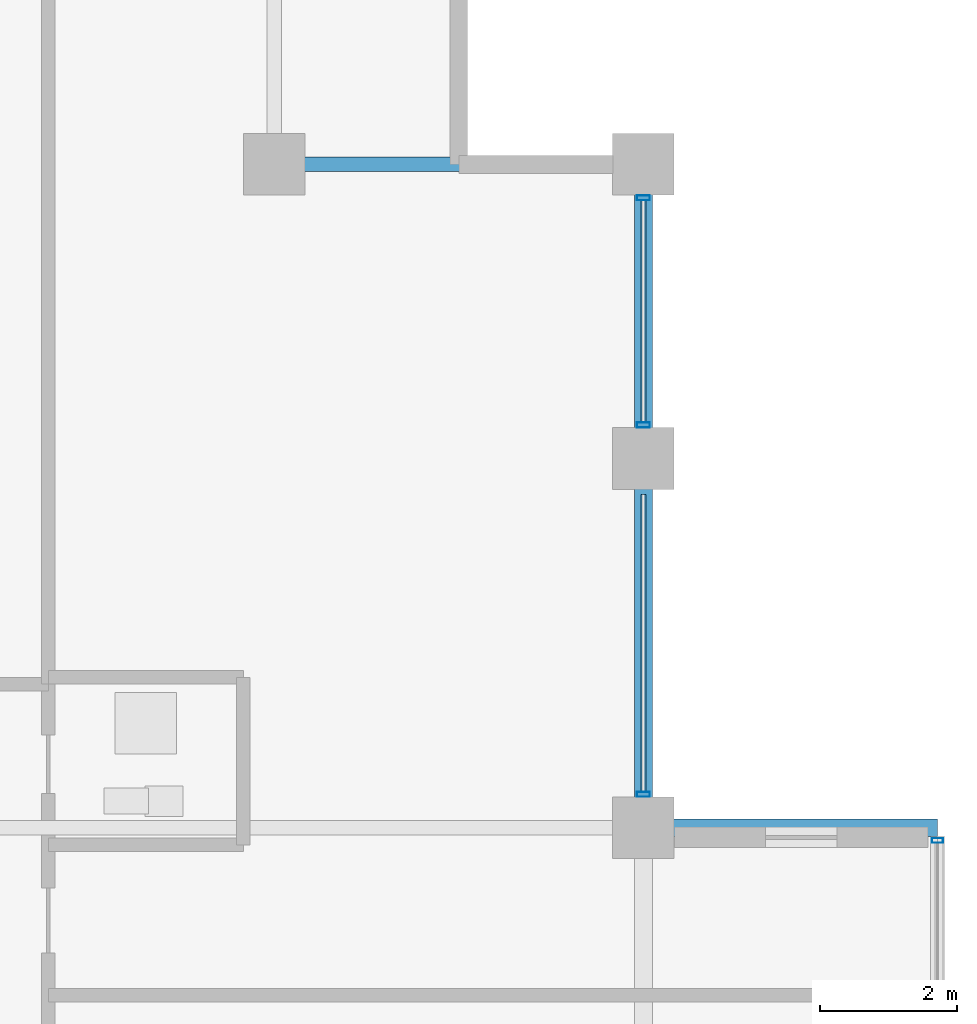
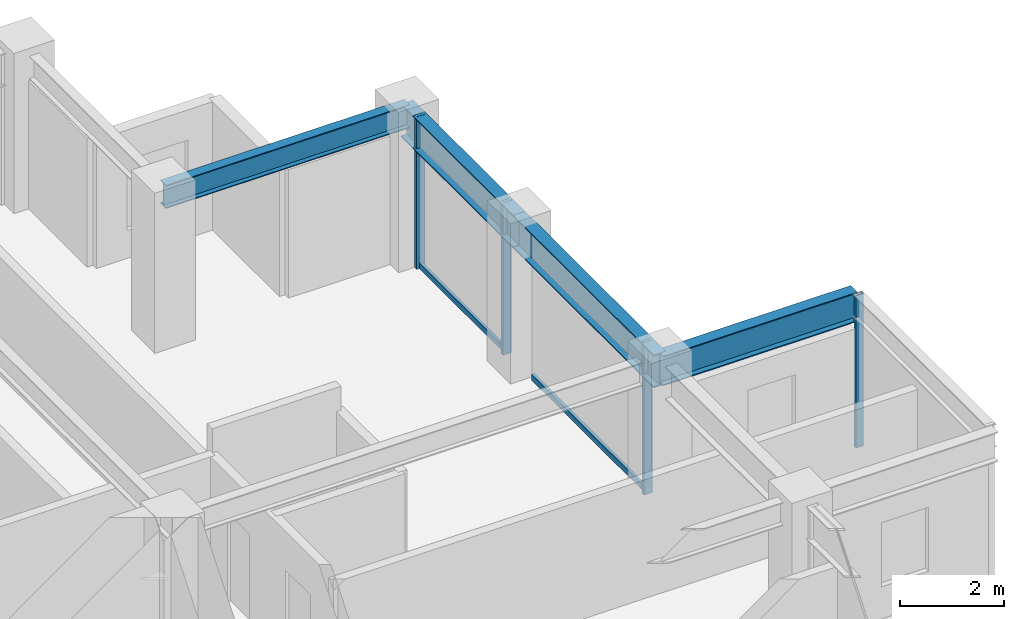
# One storey, part 20 of 28: 6 members, 4 beams, 2 elements without a shape of their own.
"""IFC4 building model written with IfcOpenShell, lengths in metres."""

import ifcopenshell
import ifcopenshell.guid

model = None  # the IFC model being written
_history = None  # IfcOwnerHistory: only IFC2X3 demands one
_inside = {}  # id of a spatial element -> (the spatial element, [elements in it])
_under = {}  # id of a project, library or spatial element -> (it, [spatial elements below it])
_declared = {}  # id of a project -> (the project, [libraries it declares])
_typed = {}  # id of a type object -> (the type object, [elements of that type])
_made_of = {}  # id of a material, layer set ... -> (it, [elements and type objects made of it])


def new_model(schema):
    """Start an empty IFC model of exactly this schema.

    Asked for "IFC4X3", IfcOpenShell would pick the latest addendum, in which some entities
    have other attributes; the version numbers below select the first issue.
    IFC2X3 requires an IfcOwnerHistory on every rooted entity: one is made here for all.
    """
    global model, _history
    if schema == "IFC4X3":
        model = ifcopenshell.file(schema_version=(4, 3, 0, 0))
    else:
        model = ifcopenshell.file(schema=schema)
    _inside.clear()
    _under.clear()
    _declared.clear()
    _typed.clear()
    _made_of.clear()
    _history = None
    if model.schema == "IFC2X3":
        org = make("IfcOrganization", Name="unknown")
        user = make(
            "IfcPersonAndOrganization",
            ThePerson=make("IfcPerson", FamilyName="unknown"),
            TheOrganization=org,
        )
        app = make(
            "IfcApplication",
            ApplicationDeveloper=org,
            Version="unknown",
            ApplicationFullName="unknown",
            ApplicationIdentifier="unknown",
        )
        _history = make(
            "IfcOwnerHistory",
            OwningUser=user,
            OwningApplication=app,
            ChangeAction="ADDED",
            CreationDate=0,
        )
    return model


def make(cls, **values):
    """One entity of the class cls with the attributes given. An attribute that is None is left unset."""
    return model.create_entity(
        cls, **{name: value for name, value in values.items() if value is not None}
    )


def rooted(cls, **values):
    """An entity with a GlobalId (a new one), such as an element, a storey or a relation."""
    return make(cls, GlobalId=ifcopenshell.guid.new(), OwnerHistory=_history, **values)


def si_unit(unit_type, name, prefix=None):
    """IfcSIUnit, for example si_unit("LENGTHUNIT", "METRE", prefix="MILLI")."""
    return make("IfcSIUnit", UnitType=unit_type, Prefix=prefix, Name=name)


def assignment(units):
    """IfcUnitAssignment: the units of a project."""
    return None if units is None else make("IfcUnitAssignment", Units=units)


def point(xyz):
    """IfcCartesianPoint."""
    return None if xyz is None else make("IfcCartesianPoint", Coordinates=xyz)


def direction(xyz):
    """IfcDirection."""
    return None if xyz is None else make("IfcDirection", DirectionRatios=xyz)


def frame(location, z_axis=None, x_axis=None):
    """IfcAxis2Placement3D, a coordinate frame: its origin and axes. An axis left out is left unset."""
    return make(
        "IfcAxis2Placement3D",
        Location=point(location),
        Axis=direction(z_axis),
        RefDirection=direction(x_axis),
    )


def frame_2d(location, x_axis=None):
    """IfcAxis2Placement2D, a coordinate frame in the plane: its origin and x axis."""
    return make(
        "IfcAxis2Placement2D", Location=point(location), RefDirection=direction(x_axis)
    )


def origin():
    """The frame at (0, 0, 0) with its axes left unset."""
    return frame((0.0, 0.0, 0.0))


def origin_2d():
    """The frame at (0, 0) in the plane with its x axis left unset."""
    return frame_2d((0.0, 0.0))


def place(relative_to, where):
    """IfcLocalPlacement: puts the frame where relative to a parent placement (None: the world)."""
    return make(
        "IfcLocalPlacement", PlacementRelTo=relative_to, RelativePlacement=where
    )


def context(
    kind, dimensions, precision=None, world=None, true_north=None, identifier=None
):
    """IfcGeometricRepresentationContext, for example the 3D "Model" context."""
    return make(
        "IfcGeometricRepresentationContext",
        ContextIdentifier=identifier,
        ContextType=kind,
        CoordinateSpaceDimension=dimensions,
        Precision=precision,
        WorldCoordinateSystem=world,
        TrueNorth=true_north,
    )


def subcontext(parent, identifier, kind, view, scale=None):
    """IfcGeometricRepresentationSubContext, for example "Body" below "Model"."""
    return make(
        "IfcGeometricRepresentationSubContext",
        ContextIdentifier=identifier,
        ContextType=kind,
        ParentContext=parent,
        TargetScale=scale,
        TargetView=view,
    )


def project(units=None, contexts=None):
    """IfcProject with its units and contexts."""
    return rooted(
        "IfcProject",
        Name="project",
        RepresentationContexts=contexts,
        UnitsInContext=assignment(units),
    )


def spatial(cls, under=None, at=None, **own):
    """A site, building, storey or space (cls), placed at a placement, below another one or the project."""
    s = rooted(cls, ObjectPlacement=at, **own)
    if under is not None:
        _under.setdefault(under.id(), (under, []))[1].append(s)
    return s


def profile(cls, at=None, kind="AREA", **sizes):
    """A parametric profile (cls). Its sizes go by their IFC names, for example OverallWidth=200.0."""
    return make(cls, ProfileType=kind, Position=at, **sizes)


def hollow_rectangle(**sizes):
    """IfcRectangleHollowProfileDef."""
    return profile("IfcRectangleHollowProfileDef", **sizes)


def i_section(**sizes):
    """IfcIShapeProfileDef."""
    return profile("IfcIShapeProfileDef", **sizes)


def extrude(swept, where, along, depth):
    """IfcExtrudedAreaSolid: the profile swept, set in the frame where, extruded along a direction by depth."""
    return make(
        "IfcExtrudedAreaSolid",
        SweptArea=swept,
        Position=where,
        ExtrudedDirection=direction(along),
        Depth=depth,
    )


def shape(context_of_items, identifier, shape_type, items):
    """IfcShapeRepresentation: the items that make up one representation, for example the "Body"."""
    return make(
        "IfcShapeRepresentation",
        ContextOfItems=context_of_items,
        RepresentationIdentifier=identifier,
        RepresentationType=shape_type,
        Items=items,
    )


def material(Name=None, Category=None):
    """IfcMaterial."""
    return make("IfcMaterial", Name=Name, Category=Category)


def layer(
    of_material, thickness, ventilated=None, Name=None, Category=None, Priority=None
):
    """IfcMaterialLayer: one layer of a wall or slab, of a material (None: an air gap)."""
    return make(
        "IfcMaterialLayer",
        Material=of_material,
        LayerThickness=thickness,
        IsVentilated=ventilated,
        Name=Name,
        Category=Category,
        Priority=Priority,
    )


def layer_set(layers, Name=None):
    """IfcMaterialLayerSet."""
    return make("IfcMaterialLayerSet", MaterialLayers=layers, LayerSetName=Name)


def material_profile(
    of_material, cross_section, Name=None, Category=None, Priority=None
):
    """IfcMaterialProfile: a cross section and its material."""
    return make(
        "IfcMaterialProfile",
        Name=Name,
        Material=of_material,
        Profile=cross_section,
        Priority=Priority,
        Category=Category,
    )


def profile_set(profiles, Name=None, composite=None):
    """IfcMaterialProfileSet."""
    return make(
        "IfcMaterialProfileSet",
        Name=Name,
        MaterialProfiles=profiles,
        CompositeProfile=composite,
    )


def made_of(thing, what):
    """Note that an element or type object is made of a material, layer set ...; save() writes the relation."""
    if what is not None:
        _made_of.setdefault(what.id(), (what, []))[1].append(thing)
    return thing


def type_object(cls, material=None, **own):
    """A type object (cls), such as IfcWallType, which elements share."""
    return made_of(rooted(cls, **own), material)


def element(
    cls,
    number,
    at=None,
    inside=None,
    cuts=None,
    type_object=None,
    material=None,
    context=None,
    identifier="Body",
    shape_type=None,
    held_by="IfcProductDefinitionShape",
    body=None,
    shapes=None,
    **own,
):
    """One element of the class cls, such as IfcWall. Its Tag is "e" and its number.

    at: its placement. inside: the storey or other place that contains it. cuts: it is an
    opening in that element (IfcRelVoidsElement). A single representation is given by context,
    identifier, shape_type and body (its items); several are given by shapes. held_by: the class
    of the entity that holds the representations. save() writes the other relations.
    """
    e = rooted(cls, Tag="e%d" % number, ObjectPlacement=at, **own)
    if body is not None:
        shapes = [shape(context, identifier, shape_type, body)]
    if shapes is not None:
        e.Representation = make(held_by, Representations=shapes)
    if inside is not None:
        _inside.setdefault(inside.id(), (inside, []))[1].append(e)
    if cuts is not None:
        rooted(
            "IfcRelVoidsElement", RelatingBuildingElement=cuts, RelatedOpeningElement=e
        )
    if type_object is not None:
        _typed.setdefault(type_object.id(), (type_object, []))[1].append(e)
    return made_of(e, material)


def aggregate(whole, parts):
    """IfcRelAggregates: a whole, such as a stair, and the parts it consists of."""
    return rooted("IfcRelAggregates", RelatingObject=whole, RelatedObjects=parts)


def save(model, path):
    """Write the relations noted so far, then the file.

    IfcRelAggregates (storeys below a building ...), IfcRelContainedInSpatialStructure (elements
    in a storey), IfcRelDefinesByType, IfcRelAssociatesMaterial and IfcRelDeclares: one each for
    every whole, place, type object, material and project.
    """
    for whole, parts in _under.values():
        aggregate(whole, parts)
    for where, things in _inside.values():
        rooted(
            "IfcRelContainedInSpatialStructure",
            RelatedElements=things,
            RelatingStructure=where,
        )
    for kind, things in _typed.values():
        rooted("IfcRelDefinesByType", RelatedObjects=things, RelatingType=kind)
    for what, things in _made_of.values():
        rooted("IfcRelAssociatesMaterial", RelatedObjects=things, RelatingMaterial=what)
    for by, libraries in _declared.values():
        rooted("IfcRelDeclares", RelatingContext=by, RelatedDefinitions=libraries)
    model.write(path)


model = new_model("IFC4")

# Units and contexts
model_context = context("Model", 3, precision=1e-05, world=origin(), true_north=direction((0.0, 1.0)))
body_context = subcontext(model_context, "Body", "Model", "MODEL_VIEW")
ifc_project = project(units=[si_unit("LENGTHUNIT", "METRE"), si_unit("AREAUNIT", "SQUARE_METRE"), si_unit("VOLUMEUNIT", "CUBIC_METRE"), si_unit("PLANEANGLEUNIT", "RADIAN"), si_unit("MASSUNIT", "GRAM", prefix="KILO")], contexts=[model_context])

# Site, building, storey
site_placement = place(None, origin())
site = spatial("IfcSite", under=ifc_project, at=site_placement, CompositionType="ELEMENT")
building_placement = place(site_placement, origin())
building = spatial("IfcBuilding", under=site, at=building_placement, Name="Surkhivell Harbour Commons", CompositionType="ELEMENT")
storey_placement = place(building_placement, frame((0.0, 0.0, 178.5)))
storey = spatial("IfcBuildingStorey", under=building, at=storey_placement, Name="L46", CompositionType="ELEMENT", Elevation=178.5)

# Beams
ifc_material_1 = material(Name="Steel S460", Category="steel")
ifc_material_profile_1 = material_profile(ifc_material_1, i_section(OverallWidth=0.256103515625, OverallDepth=0.693115234375, WebThickness=0.014404296875, FlangeThickness=0.023681640625, at=origin_2d()), Name="UB686x254x170")
ifc_profile_set_1 = profile_set([ifc_material_profile_1], Name="Steel S460")
beam_type_1 = type_object("IfcBeamType", Name="BM-CNT-686", PredefinedType="BEAM", material=ifc_profile_set_1)
beam_1_placement = place(storey_placement, frame((21.60009765625, 10.800048828125, 3.223388671875), z_axis=(1.0, 0.0, 0.0), x_axis=(0.0, 1.0, 0.0)))
element("IfcBeam", 1, at=beam_1_placement, inside=storey, type_object=beam_type_1, Name="L46 Box Cantilever Outrigger (21.6,10.8)", PredefinedType="BEAM", context=body_context, shape_type="SweptSolid", body=[
    extrude(i_section(OverallWidth=0.256103515625, OverallDepth=0.693115234375, WebThickness=0.014404296875, FlangeThickness=0.023681640625, at=origin_2d()), origin(), (0.0, 0.0, 1.0), 4.2998046875),
])
ifc_material_2 = material(Name="Steel S355", Category="steel")
ifc_material_profile_2 = material_profile(ifc_material_2, i_section(OverallWidth=0.2119140625, OverallDepth=0.5439453125, WebThickness=0.0126953125, FlangeThickness=0.021240234375, at=origin_2d()), Name="UB533x210x122")
ifc_profile_set_2 = profile_set([ifc_material_profile_2], Name="Steel S355")
beam_type_2 = type_object("IfcBeamType", Name="BM-GRD-533A", PredefinedType="BEAM", material=ifc_profile_set_2)
beam_2_placement = place(storey_placement, frame((16.199951171875, 20.5, 3.298095703125), z_axis=(1.0, 0.0, 0.0), x_axis=(0.0, 1.0, 0.0)))
element("IfcBeam", 2, at=beam_2_placement, inside=storey, type_object=beam_type_2, Name="L46 Floor Girder (16.2,20.5)", PredefinedType="BEAM", context=body_context, shape_type="SweptSolid", body=[
    extrude(i_section(OverallWidth=0.2119140625, OverallDepth=0.5439453125, WebThickness=0.0126953125, FlangeThickness=0.021240234375, at=origin_2d()), origin(), (0.0, 0.0, 1.0), 5.400146484375),
])
ifc_material_profile_3 = material_profile(ifc_material_2, i_section(OverallWidth=0.26806640625, OverallDepth=0.77001953125, WebThickness=0.015625, FlangeThickness=0.025390625, at=origin_2d()), Name="UB762x267x197")
ifc_profile_set_3 = profile_set([ifc_material_profile_3], Name="Steel S355")
beam_type_3 = type_object("IfcBeamType", Name="BM-SPN-762", PredefinedType="SPANDREL", material=ifc_profile_set_3)
beam_3_placement = place(storey_placement, frame((21.60009765625, 10.800048828125, 3.18505859375), z_axis=(0.0, 1.0, 0.0), x_axis=(-1.0, 0.0, 0.0)))
element("IfcBeam", 3, at=beam_3_placement, inside=storey, type_object=beam_type_3, Name="L46 Tube Spandrel (21.6,10.8)", PredefinedType="SPANDREL", context=body_context, shape_type="SweptSolid", body=[
    extrude(i_section(OverallWidth=0.26806640625, OverallDepth=0.77001953125, WebThickness=0.015625, FlangeThickness=0.025390625, at=origin_2d()), origin(), (0.0, 0.0, 1.0), 5.39990234375),
])
beam_4_placement = place(storey_placement, frame((21.60009765625, 16.199951171875, 3.18505859375), z_axis=(0.0, 1.0, 0.0), x_axis=(-1.0, 0.0, 0.0)))
element("IfcBeam", 4, at=beam_4_placement, inside=storey, type_object=beam_type_3, Name="L46 Tube Spandrel (21.6,16.2)", PredefinedType="SPANDREL", context=body_context, shape_type="SweptSolid", body=[
    extrude(i_section(OverallWidth=0.26806640625, OverallDepth=0.77001953125, WebThickness=0.015625, FlangeThickness=0.025390625, at=origin_2d()), origin(), (0.0, 0.0, 1.0), 4.300048828125),
])

# Curtain wall, member
ifc_material_3 = material(Name="Anodised pale-metal aluminium and insulated glazing", Category="aluminium")
ifc_layer_1 = layer(ifc_material_3, 0.1650390625)
ifc_layer_set_1 = layer_set([ifc_layer_1], Name="Anodised pale-metal aluminium and insulated glazing")
curtain_wall_type_1 = type_object("IfcCurtainWallType", Name="CW-SYS-BOX", PredefinedType="NOTDEFINED", material=ifc_layer_set_1)
curtain_wall_1_placement = place(storey_placement, origin())
curtain_wall_1 = element("IfcCurtainWall", 5, at=curtain_wall_1_placement, inside=storey, type_object=curtain_wall_type_1, Name="L46 Curtain Wall CW-L46-BOX01", PredefinedType="NOTDEFINED")
ifc_material_4 = material(Name="Champagne anodised aluminium alloy 6063-T6", Category="aluminium")
ifc_material_profile_4 = material_profile(ifc_material_4, hollow_rectangle(XDim=0.070068359375, YDim=0.1650390625, WallThickness=0.00341796875, at=origin_2d()), Name="ALU-MULL-70x165")
ifc_profile_set_4 = profile_set([ifc_material_profile_4], Name="Champagne anodised aluminium alloy 6063-T6")
member_type_1 = type_object("IfcMemberType", Name="CWM-165", PredefinedType="MULLION", material=ifc_profile_set_4)
member_1_placement = place(storey_placement, frame((25.89990234375, 10.614990234375, 0.0), z_axis=(0.0, 0.0, 1.0), x_axis=(0.0, 1.0, 0.0)))
member_1 = element("IfcMember", 6, at=member_1_placement, type_object=member_type_1, Name="CW-BOX mullion 2", PredefinedType="MULLION", context=body_context, shape_type="SweptSolid", body=[
    extrude(hollow_rectangle(XDim=0.070068359375, YDim=0.1650390625, WallThickness=0.00341796875, at=origin_2d()), origin(), (0.0, 0.0, 1.0), 3.570068359375),
])
aggregate(curtain_wall_1, [member_1])

# Curtain wall, members
ifc_layer_2 = layer(ifc_material_3, 0.18994140625)
ifc_layer_set_2 = layer_set([ifc_layer_2], Name="Anodised pale-metal aluminium and insulated glazing")
curtain_wall_type_2 = type_object("IfcCurtainWallType", Name="CW-SYS-Z3", PredefinedType="NOTDEFINED", material=ifc_layer_set_2)
curtain_wall_2_placement = place(storey_placement, origin())
curtain_wall_2 = element("IfcCurtainWall", 7, at=curtain_wall_2_placement, inside=storey, type_object=curtain_wall_type_2, Name="L46 Curtain Wall CW-L46-E02R2", PredefinedType="NOTDEFINED")
ifc_material_5 = material(Name="Anodised pale-metal aluminium alloy 6063-T6", Category="aluminium")
ifc_material_profile_5 = material_profile(ifc_material_5, hollow_rectangle(XDim=0.074951171875, YDim=0.18994140625, WallThickness=0.00390625, at=origin_2d()), Name="ALU-MULL-75x190")
ifc_profile_set_5 = profile_set([ifc_material_profile_5], Name="Anodised pale-metal aluminium alloy 6063-T6")
member_type_2 = type_object("IfcMemberType", Name="CWM-190", PredefinedType="MULLION", material=ifc_profile_set_5)
member_2_placement = place(storey_placement, frame((21.60009765625, 11.28955078125, 0.0), z_axis=(0.0, 0.0, 1.0), x_axis=(0.0, 1.0, 0.0)))
member_2 = element("IfcMember", 8, at=member_2_placement, type_object=member_type_2, Name="CW-Z3 mullion 1", PredefinedType="MULLION", context=body_context, shape_type="SweptSolid", body=[
    extrude(hollow_rectangle(XDim=0.074951171875, YDim=0.18994140625, WallThickness=0.00390625, at=origin_2d()), origin(), (0.0, 0.0, 1.0), 3.570068359375),
])
member_3_placement = place(storey_placement, frame((21.60009765625, 16.689453125, 0.0), z_axis=(0.0, 0.0, 1.0), x_axis=(0.0, 1.0, 0.0)))
member_3 = element("IfcMember", 9, at=member_3_placement, type_object=member_type_2, Name="CW-Z3 mullion 2", PredefinedType="MULLION", context=body_context, shape_type="SweptSolid", body=[
    extrude(hollow_rectangle(XDim=0.074951171875, YDim=0.18994140625, WallThickness=0.00390625, at=origin_2d()), origin(), (0.0, 0.0, 1.0), 3.570068359375),
])
member_4_placement = place(storey_placement, frame((21.60009765625, 20.010498046875, 0.0), z_axis=(0.0, 0.0, 1.0), x_axis=(0.0, 1.0, 0.0)))
member_4 = element("IfcMember", 10, at=member_4_placement, type_object=member_type_2, Name="CW-Z3 mullion 3", PredefinedType="MULLION", context=body_context, shape_type="SweptSolid", body=[
    extrude(hollow_rectangle(XDim=0.074951171875, YDim=0.18994140625, WallThickness=0.00390625, at=origin_2d()), origin(), (0.0, 0.0, 1.0), 3.570068359375),
])
ifc_material_profile_6 = material_profile(ifc_material_4, hollow_rectangle(XDim=0.070068359375, YDim=0.1298828125, WallThickness=0.00341796875, at=origin_2d()), Name="ALU-TRAN-70x130")
ifc_profile_set_6 = profile_set([ifc_material_profile_6], Name="Champagne anodised aluminium alloy 6063-T6")
member_type_3 = type_object("IfcMemberType", Name="CWT-130", PredefinedType="USERDEFINED", material=ifc_profile_set_6)
member_5_placement = place(storey_placement, frame((21.60009765625, 11.326904296875, 0.06494140625), z_axis=(0.0, 1.0, 0.0), x_axis=(-1.0, 0.0, 0.0)))
member_5 = element("IfcMember", 11, at=member_5_placement, type_object=member_type_3, Name="CW-Z3 transom 1.1", ObjectType="TRANSOM", PredefinedType="USERDEFINED", context=body_context, shape_type="SweptSolid", body=[
    extrude(hollow_rectangle(XDim=0.070068359375, YDim=0.1298828125, WallThickness=0.00341796875, at=origin_2d()), origin(), (0.0, 0.0, 1.0), 4.34619140625),
])
member_6_placement = place(storey_placement, frame((21.60009765625, 16.72705078125, 0.06494140625), z_axis=(0.0, 1.0, 0.0), x_axis=(-1.0, 0.0, 0.0)))
member_6 = element("IfcMember", 12, at=member_6_placement, type_object=member_type_3, Name="CW-Z3 transom 2.1", ObjectType="TRANSOM", PredefinedType="USERDEFINED", context=body_context, shape_type="SweptSolid", body=[
    extrude(hollow_rectangle(XDim=0.070068359375, YDim=0.1298828125, WallThickness=0.00341796875, at=origin_2d()), origin(), (0.0, 0.0, 1.0), 3.245849609375),
])
aggregate(curtain_wall_2, [member_2, member_5, member_3, member_4, member_6])

save(model, "model.ifc")
